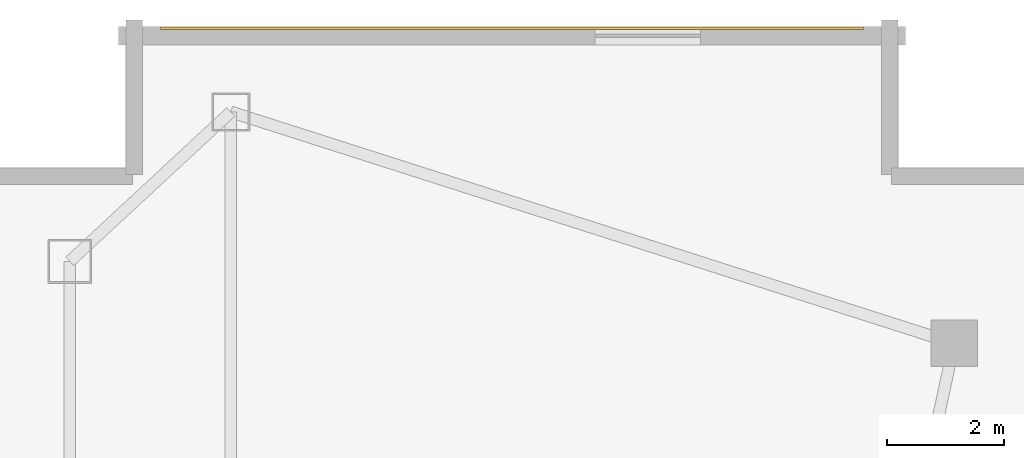
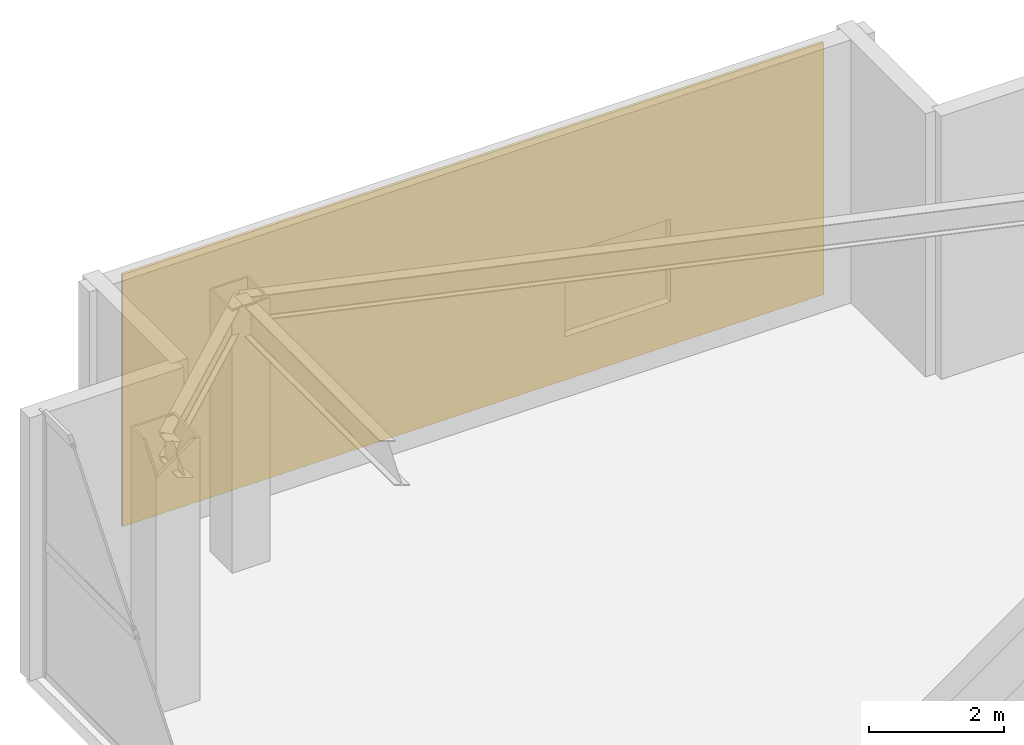
# One storey, part 21 of 21: 1 covering.
"""IFC4 building model written with IfcOpenShell, lengths in metres."""

from ifc_helpers import new_model, si_unit, direction, frame, origin, origin_2d, place, context, subcontext, project, spatial, rectangle, extrude, material, layer, layer_set, type_object, element, save


model = new_model("IFC4")

# Units and contexts
model_context = context("Model", 3, precision=1e-05, world=origin(), true_north=direction((0.0, 1.0)))
body_context = subcontext(model_context, "Body", "Model", "MODEL_VIEW")
ifc_project = project(units=[si_unit("LENGTHUNIT", "METRE"), si_unit("AREAUNIT", "SQUARE_METRE"), si_unit("VOLUMEUNIT", "CUBIC_METRE"), si_unit("PLANEANGLEUNIT", "RADIAN"), si_unit("MASSUNIT", "GRAM", prefix="KILO")], contexts=[model_context])

# Site, building, storey
site_placement = place(None, origin())
site = spatial("IfcSite", under=ifc_project, at=site_placement, CompositionType="ELEMENT")
building_placement = place(site_placement, origin())
building = spatial("IfcBuilding", under=site, at=building_placement, Name="Calvorn Quay Hotel", CompositionType="ELEMENT")
storey_placement = place(building_placement, frame((0.0, 0.0, 330.5)))
storey = spatial("IfcBuildingStorey", under=building, at=storey_placement, Name="L81", CompositionType="ELEMENT", Elevation=330.5)

# Covering
ifc_material = material(Name="Pale Anodised Aluminium Rainscreen Cladding", Category="aluminium")
ifc_layer = layer(ifc_material, 0.044921875)
ifc_layer_set = layer_set([ifc_layer], Name="COV-CROWN-CLAD")
covering_type = type_object("IfcCoveringType", Name="COV-CROWN-CLAD", PredefinedType="CLADDING", material=ifc_layer_set)
covering_placement = place(storey_placement, frame((9.0, 50.97998046875, 0.099853515625), z_axis=(0.0, 0.0, 1.0), x_axis=(1.0, 0.0, 0.0)))
element("IfcCovering", 1, at=covering_placement, inside=storey, type_object=covering_type, Name="Crown Pale-Metal Cladding (L81)", PredefinedType="CLADDING", context=body_context, shape_type="SweptSolid", body=[
    extrude(rectangle(XDim=12.0, YDim=0.044921875, at=origin_2d()), origin(), (0.0, 0.0, 1.0), 4.56005859375),
])

save(model, "model.ifc")
